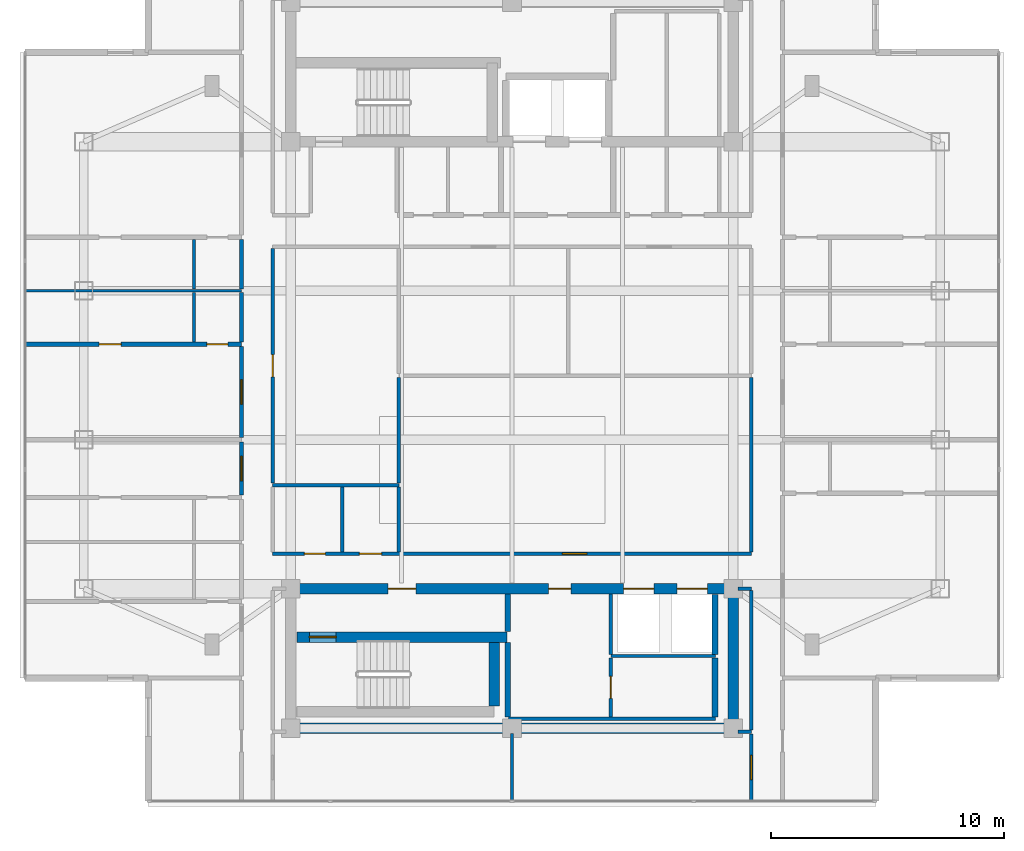
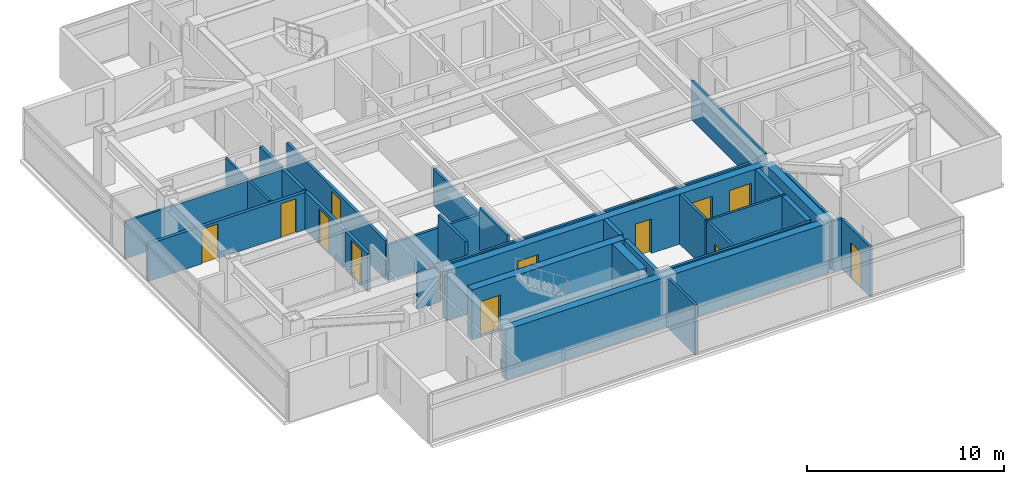
# One storey, part 8 of 15: 33 walls, 15 doors, 15 openings.
"""IFC4 building model written with IfcOpenShell, lengths in metres."""

import ifcopenshell
import ifcopenshell.guid

model = None  # the IFC model being written
_history = None  # IfcOwnerHistory: only IFC2X3 demands one
_inside = {}  # id of a spatial element -> (the spatial element, [elements in it])
_under = {}  # id of a project, library or spatial element -> (it, [spatial elements below it])
_declared = {}  # id of a project -> (the project, [libraries it declares])
_typed = {}  # id of a type object -> (the type object, [elements of that type])
_made_of = {}  # id of a material, layer set ... -> (it, [elements and type objects made of it])


def new_model(schema):
    """Start an empty IFC model of exactly this schema.

    Asked for "IFC4X3", IfcOpenShell would pick the latest addendum, in which some entities
    have other attributes; the version numbers below select the first issue.
    IFC2X3 requires an IfcOwnerHistory on every rooted entity: one is made here for all.
    """
    global model, _history
    if schema == "IFC4X3":
        model = ifcopenshell.file(schema_version=(4, 3, 0, 0))
    else:
        model = ifcopenshell.file(schema=schema)
    _inside.clear()
    _under.clear()
    _declared.clear()
    _typed.clear()
    _made_of.clear()
    _history = None
    if model.schema == "IFC2X3":
        org = make("IfcOrganization", Name="unknown")
        user = make(
            "IfcPersonAndOrganization",
            ThePerson=make("IfcPerson", FamilyName="unknown"),
            TheOrganization=org,
        )
        app = make(
            "IfcApplication",
            ApplicationDeveloper=org,
            Version="unknown",
            ApplicationFullName="unknown",
            ApplicationIdentifier="unknown",
        )
        _history = make(
            "IfcOwnerHistory",
            OwningUser=user,
            OwningApplication=app,
            ChangeAction="ADDED",
            CreationDate=0,
        )
    return model


def make(cls, **values):
    """One entity of the class cls with the attributes given. An attribute that is None is left unset."""
    return model.create_entity(
        cls, **{name: value for name, value in values.items() if value is not None}
    )


def rooted(cls, **values):
    """An entity with a GlobalId (a new one), such as an element, a storey or a relation."""
    return make(cls, GlobalId=ifcopenshell.guid.new(), OwnerHistory=_history, **values)


def si_unit(unit_type, name, prefix=None):
    """IfcSIUnit, for example si_unit("LENGTHUNIT", "METRE", prefix="MILLI")."""
    return make("IfcSIUnit", UnitType=unit_type, Prefix=prefix, Name=name)


def assignment(units):
    """IfcUnitAssignment: the units of a project."""
    return None if units is None else make("IfcUnitAssignment", Units=units)


def point(xyz):
    """IfcCartesianPoint."""
    return None if xyz is None else make("IfcCartesianPoint", Coordinates=xyz)


def direction(xyz):
    """IfcDirection."""
    return None if xyz is None else make("IfcDirection", DirectionRatios=xyz)


def frame(location, z_axis=None, x_axis=None):
    """IfcAxis2Placement3D, a coordinate frame: its origin and axes. An axis left out is left unset."""
    return make(
        "IfcAxis2Placement3D",
        Location=point(location),
        Axis=direction(z_axis),
        RefDirection=direction(x_axis),
    )


def frame_2d(location, x_axis=None):
    """IfcAxis2Placement2D, a coordinate frame in the plane: its origin and x axis."""
    return make(
        "IfcAxis2Placement2D", Location=point(location), RefDirection=direction(x_axis)
    )


def origin():
    """The frame at (0, 0, 0) with its axes left unset."""
    return frame((0.0, 0.0, 0.0))


def place(relative_to, where):
    """IfcLocalPlacement: puts the frame where relative to a parent placement (None: the world)."""
    return make(
        "IfcLocalPlacement", PlacementRelTo=relative_to, RelativePlacement=where
    )


def context(
    kind, dimensions, precision=None, world=None, true_north=None, identifier=None
):
    """IfcGeometricRepresentationContext, for example the 3D "Model" context."""
    return make(
        "IfcGeometricRepresentationContext",
        ContextIdentifier=identifier,
        ContextType=kind,
        CoordinateSpaceDimension=dimensions,
        Precision=precision,
        WorldCoordinateSystem=world,
        TrueNorth=true_north,
    )


def subcontext(parent, identifier, kind, view, scale=None):
    """IfcGeometricRepresentationSubContext, for example "Body" below "Model"."""
    return make(
        "IfcGeometricRepresentationSubContext",
        ContextIdentifier=identifier,
        ContextType=kind,
        ParentContext=parent,
        TargetScale=scale,
        TargetView=view,
    )


def project(units=None, contexts=None):
    """IfcProject with its units and contexts."""
    return rooted(
        "IfcProject",
        Name="project",
        RepresentationContexts=contexts,
        UnitsInContext=assignment(units),
    )


def spatial(cls, under=None, at=None, **own):
    """A site, building, storey or space (cls), placed at a placement, below another one or the project."""
    s = rooted(cls, ObjectPlacement=at, **own)
    if under is not None:
        _under.setdefault(under.id(), (under, []))[1].append(s)
    return s


def profile(cls, at=None, kind="AREA", **sizes):
    """A parametric profile (cls). Its sizes go by their IFC names, for example OverallWidth=200.0."""
    return make(cls, ProfileType=kind, Position=at, **sizes)


def rectangle(**sizes):
    """IfcRectangleProfileDef."""
    return profile("IfcRectangleProfileDef", **sizes)


def extrude(swept, where, along, depth):
    """IfcExtrudedAreaSolid: the profile swept, set in the frame where, extruded along a direction by depth."""
    return make(
        "IfcExtrudedAreaSolid",
        SweptArea=swept,
        Position=where,
        ExtrudedDirection=direction(along),
        Depth=depth,
    )


def shape(context_of_items, identifier, shape_type, items):
    """IfcShapeRepresentation: the items that make up one representation, for example the "Body"."""
    return make(
        "IfcShapeRepresentation",
        ContextOfItems=context_of_items,
        RepresentationIdentifier=identifier,
        RepresentationType=shape_type,
        Items=items,
    )


def material(Name=None, Category=None):
    """IfcMaterial."""
    return make("IfcMaterial", Name=Name, Category=Category)


def layer(
    of_material, thickness, ventilated=None, Name=None, Category=None, Priority=None
):
    """IfcMaterialLayer: one layer of a wall or slab, of a material (None: an air gap)."""
    return make(
        "IfcMaterialLayer",
        Material=of_material,
        LayerThickness=thickness,
        IsVentilated=ventilated,
        Name=Name,
        Category=Category,
        Priority=Priority,
    )


def layer_set(layers, Name=None):
    """IfcMaterialLayerSet."""
    return make("IfcMaterialLayerSet", MaterialLayers=layers, LayerSetName=Name)


def made_of(thing, what):
    """Note that an element or type object is made of a material, layer set ...; save() writes the relation."""
    if what is not None:
        _made_of.setdefault(what.id(), (what, []))[1].append(thing)
    return thing


def type_object(cls, material=None, **own):
    """A type object (cls), such as IfcWallType, which elements share."""
    return made_of(rooted(cls, **own), material)


def element(
    cls,
    number,
    at=None,
    inside=None,
    cuts=None,
    type_object=None,
    material=None,
    context=None,
    identifier="Body",
    shape_type=None,
    held_by="IfcProductDefinitionShape",
    body=None,
    shapes=None,
    **own,
):
    """One element of the class cls, such as IfcWall. Its Tag is "e" and its number.

    at: its placement. inside: the storey or other place that contains it. cuts: it is an
    opening in that element (IfcRelVoidsElement). A single representation is given by context,
    identifier, shape_type and body (its items); several are given by shapes. held_by: the class
    of the entity that holds the representations. save() writes the other relations.
    """
    e = rooted(cls, Tag="e%d" % number, ObjectPlacement=at, **own)
    if body is not None:
        shapes = [shape(context, identifier, shape_type, body)]
    if shapes is not None:
        e.Representation = make(held_by, Representations=shapes)
    if inside is not None:
        _inside.setdefault(inside.id(), (inside, []))[1].append(e)
    if cuts is not None:
        rooted(
            "IfcRelVoidsElement", RelatingBuildingElement=cuts, RelatedOpeningElement=e
        )
    if type_object is not None:
        _typed.setdefault(type_object.id(), (type_object, []))[1].append(e)
    return made_of(e, material)


def fill(opening, filler):
    """IfcRelFillsElement: the door or window that sits in an opening."""
    return rooted(
        "IfcRelFillsElement",
        RelatingOpeningElement=opening,
        RelatedBuildingElement=filler,
    )


def aggregate(whole, parts):
    """IfcRelAggregates: a whole, such as a stair, and the parts it consists of."""
    return rooted("IfcRelAggregates", RelatingObject=whole, RelatedObjects=parts)


def save(model, path):
    """Write the relations noted so far, then the file.

    IfcRelAggregates (storeys below a building ...), IfcRelContainedInSpatialStructure (elements
    in a storey), IfcRelDefinesByType, IfcRelAssociatesMaterial and IfcRelDeclares: one each for
    every whole, place, type object, material and project.
    """
    for whole, parts in _under.values():
        aggregate(whole, parts)
    for where, things in _inside.values():
        rooted(
            "IfcRelContainedInSpatialStructure",
            RelatedElements=things,
            RelatingStructure=where,
        )
    for kind, things in _typed.values():
        rooted("IfcRelDefinesByType", RelatedObjects=things, RelatingType=kind)
    for what, things in _made_of.values():
        rooted("IfcRelAssociatesMaterial", RelatedObjects=things, RelatingMaterial=what)
    for by, libraries in _declared.values():
        rooted("IfcRelDeclares", RelatingContext=by, RelatedDefinitions=libraries)
    model.write(path)


model = new_model("IFC4")

# Units and contexts
model_context = context("Model", 3, precision=1e-05, world=origin(), true_north=direction((0.0, 1.0)))
body_context = subcontext(model_context, "Body", "Model", "MODEL_VIEW")
ifc_project = project(units=[si_unit("LENGTHUNIT", "METRE"), si_unit("AREAUNIT", "SQUARE_METRE"), si_unit("VOLUMEUNIT", "CUBIC_METRE"), si_unit("PLANEANGLEUNIT", "RADIAN"), si_unit("MASSUNIT", "GRAM", prefix="KILO")], contexts=[model_context])

# Site, building, storey
site_placement = place(None, origin())
site = spatial("IfcSite", under=ifc_project, at=site_placement, CompositionType="ELEMENT")
building_placement = place(site_placement, origin())
building = spatial("IfcBuilding", under=site, at=building_placement, Name="Mirazonda Arch Towers", CompositionType="ELEMENT")
storey_placement = place(building_placement, frame((0.0, 0.0, 229.300048828125)))
storey = spatial("IfcBuildingStorey", under=building, at=storey_placement, Name="L65", CompositionType="ELEMENT", Elevation=229.300048828125)

# Walls
ifc_material_1 = material(Name="Concrete C50/60", Category="concrete")
ifc_layer_1 = layer(ifc_material_1, 0.449951171875, Name="WALL-CORE-450")
ifc_layer_set_1 = layer_set([ifc_layer_1], Name="Concrete C50/60")
wall_type_1 = type_object("IfcWallType", Name="WALL-CORE-450", PredefinedType="SHEAR", material=ifc_layer_set_1)
wall_1_placement = place(storey_placement, frame((11.0, 12.39990234375, 0.0), z_axis=(0.0, 0.0, 1.0), x_axis=(1.0, 0.0, 0.0)))
element("IfcWall", 1, at=wall_1_placement, inside=storey, type_object=wall_type_1, Name="L65 T1S-S Core Shear Wall", PredefinedType="SHEAR", context=body_context, shape_type="SweptSolid", body=[
    extrude(rectangle(XDim=19.0, YDim=0.449951171875, at=frame_2d((9.5, 0.0))), origin(), (0.0, 0.0, 1.0), 3.099853515625),
])
wall_2_placement = place(storey_placement, frame((30.0, 12.39990234375, 0.0), z_axis=(0.0, 0.0, 1.0), x_axis=(0.0, 1.0, 0.0)))
element("IfcWall", 2, at=wall_2_placement, inside=storey, type_object=wall_type_1, Name="L65 T1S-E Core Shear Wall", PredefinedType="SHEAR", context=body_context, shape_type="SweptSolid", body=[
    extrude(rectangle(XDim=6.0, YDim=0.449951171875, at=frame_2d((3.0, 0.0))), origin(), (0.0, 0.0, 1.0), 3.099853515625),
])

# Wall, openings, doors
wall_3_placement = place(storey_placement, frame((11.0, 18.39990234375, 0.0), z_axis=(0.0, 0.0, 1.0), x_axis=(1.0, 0.0, 0.0)))
wall_3 = element("IfcWall", 3, at=wall_3_placement, inside=storey, type_object=wall_type_1, Name="L65 T1S-N Core Shear Wall", PredefinedType="SHEAR", context=body_context, shape_type="SweptSolid", body=[
    extrude(rectangle(XDim=19.0, YDim=0.449951171875, at=frame_2d((9.5, 0.0))), origin(), (0.0, 0.0, 1.0), 3.099853515625),
])
opening_1_placement = place(wall_3_placement, frame((4.175048828125, 0.0, 0.0)))
opening_1 = element("IfcOpeningElement", 4, at=opening_1_placement, cuts=wall_3, Name="Opening DR-117", PredefinedType="OPENING", context=body_context, shape_type="SweptSolid", body=[
    extrude(rectangle(XDim=1.199951171875, YDim=2.25, at=frame_2d((0.60009765625, 1.125))), frame((0.0, 0.23486328125, 0.0), z_axis=(0.0, -1.0, 0.0), x_axis=(1.0, 0.0, 0.0)), (0.0, 0.0, 1.0), 0.469970703125),
])
opening_2_placement = place(wall_3_placement, frame((11.074951171875, 0.0, 0.0)))
opening_2 = element("IfcOpeningElement", 5, at=opening_2_placement, cuts=wall_3, Name="Opening DR-104", PredefinedType="OPENING", context=body_context, shape_type="SweptSolid", body=[
    extrude(rectangle(XDim=0.949951171875, YDim=2.14990234375, at=frame_2d((0.47509765625, 1.074951171875))), frame((0.0, 0.23486328125, 0.0), z_axis=(0.0, -1.0, 0.0), x_axis=(1.0, 0.0, 0.0)), (0.0, 0.0, 1.0), 0.469970703125),
])
opening_3_placement = place(wall_3_placement, frame((14.300048828125, 0.0, 0.0)))
opening_3 = element("IfcOpeningElement", 6, at=opening_3_placement, cuts=wall_3, Name="Opening LD-111", PredefinedType="OPENING", context=body_context, shape_type="SweptSolid", body=[
    extrude(rectangle(XDim=1.300048828125, YDim=2.300048828125, at=frame_2d((0.64990234375, 1.14990234375))), frame((0.0, 0.23486328125, 0.0), z_axis=(0.0, -1.0, 0.0), x_axis=(1.0, 0.0, 0.0)), (0.0, 0.0, 1.0), 0.469970703125),
])
opening_4_placement = place(wall_3_placement, frame((16.60009765625, 0.0, 0.0)))
opening_4 = element("IfcOpeningElement", 7, at=opening_4_placement, cuts=wall_3, Name="Opening LD-111", PredefinedType="OPENING", context=body_context, shape_type="SweptSolid", body=[
    extrude(rectangle(XDim=1.300048828125, YDim=2.300048828125, at=frame_2d((0.64990234375, 1.14990234375))), frame((0.0, 0.23486328125, 0.0), z_axis=(0.0, -1.0, 0.0), x_axis=(1.0, 0.0, 0.0)), (0.0, 0.0, 1.0), 0.469970703125),
])
ifc_material_2 = material(Name="Architectural Brushed Steel S355", Category="steel")
door_type_1 = type_object("IfcDoorType", Name="DOOR-FFL-FD90-1200", OperationType="NOTDEFINED", PredefinedType="DOOR", material=ifc_material_2)
door_1_placement = place(opening_1_placement, origin())
door_1 = element("IfcDoor", 8, at=door_1_placement, inside=storey, type_object=door_type_1, Name="L65 South Core Stair & Lift Lobby Door", OperationType="SINGLE_SWING_LEFT", OverallHeight=2.25, OverallWidth=1.199951171875, PredefinedType="DOOR", context=body_context, shape_type="SweptSolid", body=[
    extrude(rectangle(XDim=1.199951171875, YDim=2.25, at=frame_2d((0.60009765625, 1.125))), frame((0.0, 0.02490234375, 0.0), z_axis=(0.0, -1.0, 0.0), x_axis=(1.0, 0.0, 0.0)), (0.0, 0.0, 1.0), 0.050048828125),
])
fill(opening_1, door_1)
door_type_2 = type_object("IfcDoorType", Name="DOOR-LIFT-LAND-1300", OperationType="NOTDEFINED", PredefinedType="DOOR", material=ifc_material_2)
door_2_placement = place(opening_3_placement, origin())
door_2 = element("IfcDoor", 9, at=door_2_placement, inside=storey, type_object=door_type_2, Name="L65 Lift Landing Sliding Door PL-T1H1", OperationType="DOUBLE_DOOR_SLIDING", OverallHeight=2.300048828125, OverallWidth=1.300048828125, PredefinedType="DOOR", context=body_context, shape_type="SweptSolid", body=[
    extrude(rectangle(XDim=1.300048828125, YDim=2.300048828125, at=frame_2d((0.64990234375, 1.14990234375))), frame((0.0, 0.02490234375, 0.0), z_axis=(0.0, -1.0, 0.0), x_axis=(1.0, 0.0, 0.0)), (0.0, 0.0, 1.0), 0.050048828125),
])
fill(opening_3, door_2)
door_3_placement = place(opening_4_placement, origin())
door_3 = element("IfcDoor", 10, at=door_3_placement, inside=storey, type_object=door_type_2, Name="L65 Lift Landing Sliding Door PL-T1H2", OperationType="DOUBLE_DOOR_SLIDING", OverallHeight=2.300048828125, OverallWidth=1.300048828125, PredefinedType="DOOR", context=body_context, shape_type="SweptSolid", body=[
    extrude(rectangle(XDim=1.300048828125, YDim=2.300048828125, at=frame_2d((0.64990234375, 1.14990234375))), frame((0.0, 0.02490234375, 0.0), z_axis=(0.0, -1.0, 0.0), x_axis=(1.0, 0.0, 0.0)), (0.0, 0.0, 1.0), 0.050048828125),
])
fill(opening_4, door_3)
door_type_3 = type_object("IfcDoorType", Name="DOOR-ROOM-950", OperationType="NOTDEFINED", PredefinedType="DOOR", material=ifc_material_2)
door_4_placement = place(opening_2_placement, origin())
door_4 = element("IfcDoor", 11, at=door_4_placement, inside=storey, type_object=door_type_3, Name="L65 Residents Wine Tasting Lounge Door", OperationType="SINGLE_SWING_LEFT", OverallHeight=2.14990234375, OverallWidth=0.949951171875, PredefinedType="DOOR", context=body_context, shape_type="SweptSolid", body=[
    extrude(rectangle(XDim=0.949951171875, YDim=2.14990234375, at=frame_2d((0.47509765625, 1.074951171875))), frame((0.0, 0.02490234375, 0.0), z_axis=(0.0, -1.0, 0.0), x_axis=(1.0, 0.0, 0.0)), (0.0, 0.0, 1.0), 0.050048828125),
])
fill(opening_2, door_4)

# Wall, opening, door
wall_4_placement = place(storey_placement, frame((11.27001953125, 16.320068359375, 0.0), z_axis=(0.0, 0.0, 1.0), x_axis=(1.0, 0.0, 0.0)))
wall_4 = element("IfcWall", 12, at=wall_4_placement, inside=storey, type_object=wall_type_1, Name="L65 Stair Core Shear Wall 008", PredefinedType="SHEAR", context=body_context, shape_type="SweptSolid", body=[
    extrude(rectangle(XDim=9.010009765625, YDim=0.449951171875, at=frame_2d((4.5048828125, 0.0))), origin(), (0.0, 0.0, 1.0), 3.099853515625),
])
opening_5_placement = place(wall_4_placement, frame((0.52001953125, 0.0, 0.0)))
opening_5 = element("IfcOpeningElement", 13, at=opening_5_placement, cuts=wall_4, Name="Opening DR-135", PredefinedType="OPENING", context=body_context, shape_type="SweptSolid", body=[
    extrude(rectangle(XDim=1.14990234375, YDim=2.199951171875, at=frame_2d((0.574951171875, 1.10009765625))), frame((0.0, 0.23486328125, 0.0), z_axis=(0.0, -1.0, 0.0), x_axis=(1.0, 0.0, 0.0)), (0.0, 0.0, 1.0), 0.469970703125),
])
door_type_4 = type_object("IfcDoorType", Name="DOOR-STAIR-FD90-1150", OperationType="NOTDEFINED", PredefinedType="DOOR", material=ifc_material_2)
door_5_placement = place(opening_5_placement, origin())
door_5 = element("IfcDoor", 14, at=door_5_placement, inside=storey, type_object=door_type_4, Name="L65 Protected Exit Stair South Door", OperationType="SINGLE_SWING_RIGHT", OverallHeight=2.199951171875, OverallWidth=1.14990234375, PredefinedType="DOOR", context=body_context, shape_type="SweptSolid", body=[
    extrude(rectangle(XDim=1.14990234375, YDim=2.199951171875, at=frame_2d((0.574951171875, 1.10009765625))), frame((0.0, 0.02490234375, 0.0), z_axis=(0.0, -1.0, 0.0), x_axis=(1.0, 0.0, 0.0)), (0.0, 0.0, 1.0), 0.050048828125),
])
fill(opening_5, door_5)

# Walls
wall_5_placement = place(storey_placement, frame((19.72998046875, 13.35498046875, 0.0), z_axis=(0.0, 0.0, 1.0), x_axis=(0.0, 1.0, 0.0)))
element("IfcWall", 15, at=wall_5_placement, inside=storey, type_object=wall_type_1, Name="L65 Stair Core Shear Wall 062", PredefinedType="SHEAR", context=body_context, shape_type="SweptSolid", body=[
    extrude(rectangle(XDim=2.72998046875, YDim=0.449951171875, at=frame_2d((1.364990234375, 0.0))), origin(), (0.0, 0.0, 1.0), 3.099853515625),
])
ifc_material_3 = material(Name="Concrete C40/50", Category="concrete")
ifc_layer_2 = layer(ifc_material_3, 0.219970703125, Name="WALL-FFL-220")
ifc_layer_set_2 = layer_set([ifc_layer_2], Name="Concrete C40/50")
wall_type_2 = type_object("IfcWallType", Name="WALL-FFL-220", PredefinedType="SOLIDWALL", material=ifc_layer_set_2)
wall_6_placement = place(storey_placement, frame((20.31494140625, 12.885009765625, 0.0), z_axis=(0.0, 0.0, 1.0), x_axis=(0.0, 1.0, 0.0)))
element("IfcWall", 16, at=wall_6_placement, inside=storey, type_object=wall_type_2, Name="L65 Interior Partition 064", PredefinedType="SOLIDWALL", context=body_context, shape_type="SweptSolid", body=[
    extrude(rectangle(XDim=3.199951171875, YDim=0.219970703125, at=frame_2d((1.60009765625, 0.0))), origin(), (0.0, 0.0, 1.0), 3.099853515625),
])
wall_7_placement = place(storey_placement, frame((20.31494140625, 16.554931640625, 0.0), z_axis=(0.0, 0.0, 1.0), x_axis=(0.0, 1.0, 0.0)))
element("IfcWall", 17, at=wall_7_placement, inside=storey, type_object=wall_type_2, Name="L65 Interior Partition 065", PredefinedType="SOLIDWALL", context=body_context, shape_type="SweptSolid", body=[
    extrude(rectangle(XDim=1.625, YDim=0.219970703125, at=frame_2d((0.8125, 0.0))), origin(), (0.0, 0.0, 1.0), 3.099853515625),
])
ifc_material_4 = material(Name="Fire-Rated Gypsum Stud Partition")
ifc_layer_3 = layer(ifc_material_4, 0.14990234375, Name="WALL-PART-CORR-150")
ifc_layer_set_3 = layer_set([ifc_layer_3], Name="Fire-Rated Gypsum Stud Partition")
wall_type_3 = type_object("IfcWallType", Name="WALL-PART-CORR-150", PredefinedType="PARTITIONING", material=ifc_layer_set_3)
wall_8_placement = place(storey_placement, frame((30.219970703125, 12.25, 0.0), z_axis=(0.0, 0.0, 1.0), x_axis=(1.0, 0.0, 0.0)))
element("IfcWall", 18, at=wall_8_placement, inside=storey, type_object=wall_type_3, Name="L65 Interior Partition 002", PredefinedType="PARTITIONING", context=body_context, shape_type="SweptSolid", body=[
    extrude(rectangle(XDim=0.56005859375, YDim=0.14990234375, at=frame_2d((0.280029296875, 0.0))), origin(), (0.0, 0.0, 1.0), 3.099853515625),
])
wall_9_placement = place(storey_placement, frame((20.35009765625, 12.800048828125, 0.0), z_axis=(0.0, 0.0, 1.0), x_axis=(1.0, 0.0, 0.0)))
element("IfcWall", 19, at=wall_9_placement, inside=storey, type_object=wall_type_3, Name="L65 Interior Partition 003", PredefinedType="PARTITIONING", context=body_context, shape_type="SweptSolid", body=[
    extrude(rectangle(XDim=8.89990234375, YDim=0.14990234375, at=frame_2d((4.449951171875, 0.0))), origin(), (0.0, 0.0, 1.0), 3.099853515625),
])
wall_10_placement = place(storey_placement, frame((30.219970703125, 18.39990234375, 0.0), z_axis=(0.0, 0.0, 1.0), x_axis=(1.0, 0.0, 0.0)))
element("IfcWall", 20, at=wall_10_placement, inside=storey, type_object=wall_type_3, Name="L65 Interior Partition 011", PredefinedType="PARTITIONING", context=body_context, shape_type="SweptSolid", body=[
    extrude(rectangle(XDim=0.56005859375, YDim=0.14990234375, at=frame_2d((0.280029296875, 0.0))), origin(), (0.0, 0.0, 1.0), 2.491943359375),
])

# Wall, openings, doors
wall_11_placement = place(storey_placement, frame((10.219970703125, 19.89990234375, 0.0), z_axis=(0.0, 0.0, 1.0), x_axis=(1.0, 0.0, 0.0)))
wall_11 = element("IfcWall", 21, at=wall_11_placement, inside=storey, type_object=wall_type_3, Name="L65 Interior Partition 012", PredefinedType="PARTITIONING", context=body_context, shape_type="SweptSolid", body=[
    extrude(rectangle(XDim=20.56005859375, YDim=0.14990234375, at=frame_2d((10.280029296875, 0.0))), origin(), (0.0, 0.0, 1.0), 2.23583984375),
])
opening_6_placement = place(wall_11_placement, frame((1.360107421875, 0.0, 0.0)))
opening_6 = element("IfcOpeningElement", 22, at=opening_6_placement, cuts=wall_11, Name="Opening DR-120", PredefinedType="OPENING", context=body_context, shape_type="SweptSolid", body=[
    extrude(rectangle(XDim=0.89990234375, YDim=2.10009765625, at=frame_2d((0.449951171875, 1.050048828125))), frame((0.0, 0.0849609375, 0.0), z_axis=(0.0, -1.0, 0.0), x_axis=(1.0, 0.0, 0.0)), (0.0, 0.0, 1.0), 0.169921875),
])
opening_7_placement = place(wall_11_placement, frame((3.72509765625, 0.0, 0.0)))
opening_7 = element("IfcOpeningElement", 23, at=opening_7_placement, cuts=wall_11, Name="Opening DR-104", PredefinedType="OPENING", context=body_context, shape_type="SweptSolid", body=[
    extrude(rectangle(XDim=0.949951171875, YDim=2.14990234375, at=frame_2d((0.47509765625, 1.074951171875))), frame((0.0, 0.0849609375, 0.0), z_axis=(0.0, -1.0, 0.0), x_axis=(1.0, 0.0, 0.0)), (0.0, 0.0, 1.0), 0.169921875),
])
opening_8_placement = place(wall_11_placement, frame((12.445068359375, 0.0, 0.0)))
opening_8 = element("IfcOpeningElement", 24, at=opening_8_placement, cuts=wall_11, Name="Opening DR-121", PredefinedType="OPENING", context=body_context, shape_type="SweptSolid", body=[
    extrude(rectangle(XDim=1.050048828125, YDim=2.199951171875, at=frame_2d((0.52490234375, 1.10009765625))), frame((0.0, 0.0849609375, 0.0), z_axis=(0.0, -1.0, 0.0), x_axis=(1.0, 0.0, 0.0)), (0.0, 0.0, 1.0), 0.169921875),
])
door_6_placement = place(opening_7_placement, origin())
door_6 = element("IfcDoor", 25, at=door_6_placement, inside=storey, type_object=door_type_3, Name="L65 L65 West Courtyard Study Door", OperationType="SINGLE_SWING_LEFT", OverallHeight=2.14990234375, OverallWidth=0.949951171875, PredefinedType="DOOR", context=body_context, shape_type="SweptSolid", body=[
    extrude(rectangle(XDim=0.949951171875, YDim=2.14990234375, at=frame_2d((0.47509765625, 1.074951171875))), frame((0.0, 0.02490234375, 0.0), z_axis=(0.0, -1.0, 0.0), x_axis=(1.0, 0.0, 0.0)), (0.0, 0.0, 1.0), 0.050048828125),
])
fill(opening_7, door_6)
door_type_5 = type_object("IfcDoorType", Name="DOOR-SUITE-FD60-1050", OperationType="NOTDEFINED", PredefinedType="DOOR", material=ifc_material_2)
door_7_placement = place(opening_8_placement, origin())
door_7 = element("IfcDoor", 26, at=door_7_placement, inside=storey, type_object=door_type_5, Name="L65 Executive Club Lounge Door", OperationType="SINGLE_SWING_LEFT", OverallHeight=2.199951171875, OverallWidth=1.050048828125, PredefinedType="DOOR", context=body_context, shape_type="SweptSolid", body=[
    extrude(rectangle(XDim=1.050048828125, YDim=2.199951171875, at=frame_2d((0.52490234375, 1.10009765625))), frame((0.0, 0.02490234375, 0.0), z_axis=(0.0, -1.0, 0.0), x_axis=(1.0, 0.0, 0.0)), (0.0, 0.0, 1.0), 0.050048828125),
])
fill(opening_8, door_7)
door_type_6 = type_object("IfcDoorType", Name="DOOR-WC-900", OperationType="NOTDEFINED", PredefinedType="DOOR", material=ifc_material_2)
door_8_placement = place(opening_6_placement, origin())
door_8 = element("IfcDoor", 27, at=door_8_placement, inside=storey, type_object=door_type_6, Name="L65 Common Accessible WC Door", OperationType="SINGLE_SWING_LEFT", OverallHeight=2.10009765625, OverallWidth=0.89990234375, PredefinedType="DOOR", context=body_context, shape_type="SweptSolid", body=[
    extrude(rectangle(XDim=0.89990234375, YDim=2.10009765625, at=frame_2d((0.449951171875, 1.050048828125))), frame((0.0, 0.02490234375, 0.0), z_axis=(0.0, -1.0, 0.0), x_axis=(1.0, 0.0, 0.0)), (0.0, 0.0, 1.0), 0.050048828125),
])
fill(opening_6, door_8)

# Wall
wall_12_placement = place(storey_placement, frame((10.219970703125, 22.85009765625, 0.0), z_axis=(0.0, 0.0, 1.0), x_axis=(1.0, 0.0, 0.0)))
element("IfcWall", 28, at=wall_12_placement, inside=storey, type_object=wall_type_3, Name="L65 Interior Partition 016", PredefinedType="PARTITIONING", context=body_context, shape_type="SweptSolid", body=[
    extrude(rectangle(XDim=5.419921875, YDim=0.14990234375, at=frame_2d((2.7099609375, 0.0))), origin(), (0.0, 0.0, 1.0), 2.23583984375),
])

# Wall, opening, door
wall_13_placement = place(storey_placement, frame((10.219970703125, 22.93505859375, 0.0), z_axis=(0.0, 0.0, 1.0), x_axis=(0.0, 1.0, 0.0)))
wall_13 = element("IfcWall", 29, at=wall_13_placement, inside=storey, type_object=wall_type_3, Name="L65 Interior Partition 052", PredefinedType="PARTITIONING", context=body_context, shape_type="SweptSolid", body=[
    extrude(rectangle(XDim=10.079833984375, YDim=0.14990234375, at=frame_2d((5.0400390625, 0.0))), origin(), (0.0, 0.0, 1.0), 2.39599609375),
])
opening_9_placement = place(wall_13_placement, frame((4.56494140625, 0.0, 0.0)))
opening_9 = element("IfcOpeningElement", 30, at=opening_9_placement, cuts=wall_13, Name="Opening DR-104", PredefinedType="OPENING", context=body_context, shape_type="SweptSolid", body=[
    extrude(rectangle(XDim=0.949951171875, YDim=2.14990234375, at=frame_2d((0.47509765625, 1.074951171875))), frame((0.0, 0.0849609375, 0.0), z_axis=(0.0, -1.0, 0.0), x_axis=(1.0, 0.0, 0.0)), (0.0, 0.0, 1.0), 0.169921875),
])
door_9_placement = place(opening_9_placement, origin())
door_9 = element("IfcDoor", 31, at=door_9_placement, inside=storey, type_object=door_type_3, Name="L65 L65 West Courtyard Salon Door", OperationType="SINGLE_SWING_RIGHT", OverallHeight=2.14990234375, OverallWidth=0.949951171875, PredefinedType="DOOR", context=body_context, shape_type="SweptSolid", body=[
    extrude(rectangle(XDim=0.949951171875, YDim=2.14990234375, at=frame_2d((0.47509765625, 1.074951171875))), frame((0.0, 0.02490234375, 0.0), z_axis=(0.0, -1.0, 0.0), x_axis=(1.0, 0.0, 0.0)), (0.0, 0.0, 1.0), 0.050048828125),
])
fill(opening_9, door_9)

# Walls
wall_14_placement = place(storey_placement, frame((13.199951171875, 19.985107421875, 0.0), z_axis=(0.0, 0.0, 1.0), x_axis=(0.0, 1.0, 0.0)))
element("IfcWall", 32, at=wall_14_placement, inside=storey, type_object=wall_type_3, Name="L65 Interior Partition 056", PredefinedType="PARTITIONING", context=body_context, shape_type="SweptSolid", body=[
    extrude(rectangle(XDim=2.77978515625, YDim=0.14990234375, at=frame_2d((1.389892578125, 0.0))), origin(), (0.0, 0.0, 1.0), 3.099853515625),
])
wall_15_placement = place(storey_placement, frame((15.639892578125, 19.985107421875, 0.0), z_axis=(0.0, 0.0, 1.0), x_axis=(0.0, 1.0, 0.0)))
element("IfcWall", 33, at=wall_15_placement, inside=storey, type_object=wall_type_3, Name="L65 Interior Partition 057", PredefinedType="PARTITIONING", context=body_context, shape_type="SweptSolid", body=[
    extrude(rectangle(XDim=2.77978515625, YDim=0.14990234375, at=frame_2d((1.389892578125, 0.0))), origin(), (0.0, 0.0, 1.0), 2.675048828125),
])
wall_16_placement = place(storey_placement, frame((15.639892578125, 22.93505859375, 0.0), z_axis=(0.0, 0.0, 1.0), x_axis=(0.0, 1.0, 0.0)))
element("IfcWall", 34, at=wall_16_placement, inside=storey, type_object=wall_type_3, Name="L65 Interior Partition 058", PredefinedType="PARTITIONING", context=body_context, shape_type="SweptSolid", body=[
    extrude(rectangle(XDim=4.535888671875, YDim=0.14990234375, at=frame_2d((2.26806640625, 0.0))), origin(), (0.0, 0.0, 1.0), 2.23583984375),
])
wall_17_placement = place(storey_placement, frame((20.5, 9.26611328125, 0.0), z_axis=(0.0, 0.0, 1.0), x_axis=(0.0, 1.0, 0.0)))
element("IfcWall", 35, at=wall_17_placement, inside=storey, type_object=wall_type_3, Name="L65 Interior Partition 067", PredefinedType="PARTITIONING", context=body_context, shape_type="SweptSolid", body=[
    extrude(rectangle(XDim=2.913818359375, YDim=0.14990234375, at=frame_2d((1.45703125, 0.0))), origin(), (0.0, 0.0, 1.0), 3.099853515625),
])

# Wall, opening, door
wall_18_placement = place(storey_placement, frame((24.75, 12.885009765625, 0.0), z_axis=(0.0, 0.0, 1.0), x_axis=(0.0, 1.0, 0.0)))
wall_18 = element("IfcWall", 36, at=wall_18_placement, inside=storey, type_object=wall_type_3, Name="L65 Interior Partition 070", PredefinedType="PARTITIONING", context=body_context, shape_type="SweptSolid", body=[
    extrude(rectangle(XDim=2.54248046875, YDim=0.14990234375, at=frame_2d((1.271240234375, 0.0))), origin(), (0.0, 0.0, 1.0), 3.099853515625),
])
opening_10_placement = place(wall_18_placement, frame((0.79638671875, 0.0, 0.0)))
opening_10 = element("IfcOpeningElement", 37, at=opening_10_placement, cuts=wall_18, Name="Opening DR-104", PredefinedType="OPENING", context=body_context, shape_type="SweptSolid", body=[
    extrude(rectangle(XDim=0.949951171875, YDim=2.14990234375, at=frame_2d((0.47509765625, 1.074951171875))), frame((0.0, 0.0849609375, 0.0), z_axis=(0.0, -1.0, 0.0), x_axis=(1.0, 0.0, 0.0)), (0.0, 0.0, 1.0), 0.169921875),
])
door_10_placement = place(opening_10_placement, origin())
door_10 = element("IfcDoor", 38, at=door_10_placement, inside=storey, type_object=door_type_3, Name="L65 Residents Private Archive Study Door", OperationType="SINGLE_SWING_RIGHT", OverallHeight=2.14990234375, OverallWidth=0.949951171875, PredefinedType="DOOR", context=body_context, shape_type="SweptSolid", body=[
    extrude(rectangle(XDim=0.949951171875, YDim=2.14990234375, at=frame_2d((0.47509765625, 1.074951171875))), frame((0.0, 0.02490234375, 0.0), z_axis=(0.0, -1.0, 0.0), x_axis=(1.0, 0.0, 0.0)), (0.0, 0.0, 1.0), 0.050048828125),
])
fill(opening_10, door_10)

# Wall
wall_19_placement = place(storey_placement, frame((24.75, 15.572509765625, 0.0), z_axis=(0.0, 0.0, 1.0), x_axis=(0.0, 1.0, 0.0)))
element("IfcWall", 39, at=wall_19_placement, inside=storey, type_object=wall_type_3, Name="L65 Interior Partition 071", PredefinedType="PARTITIONING", context=body_context, shape_type="SweptSolid", body=[
    extrude(rectangle(XDim=2.607421875, YDim=0.14990234375, at=frame_2d((1.3037109375, 0.0))), origin(), (0.0, 0.0, 1.0), 3.099853515625),
])

# Wall, opening, door
wall_20_placement = place(storey_placement, frame((30.780029296875, 9.26611328125, 0.0), z_axis=(0.0, 0.0, 1.0), x_axis=(0.0, 1.0, 0.0)))
wall_20 = element("IfcWall", 40, at=wall_20_placement, inside=storey, type_object=wall_type_3, Name="L65 Interior Partition 081", PredefinedType="PARTITIONING", context=body_context, shape_type="SweptSolid", body=[
    extrude(rectangle(XDim=2.89892578125, YDim=0.14990234375, at=frame_2d((1.449462890625, 0.0))), origin(), (0.0, 0.0, 1.0), 3.099853515625),
])
opening_11_placement = place(wall_20_placement, frame((0.924560546875, 0.0, 0.0)))
opening_11 = element("IfcOpeningElement", 41, at=opening_11_placement, cuts=wall_20, Name="Opening DR-121", PredefinedType="OPENING", context=body_context, shape_type="SweptSolid", body=[
    extrude(rectangle(XDim=1.050048828125, YDim=2.199951171875, at=frame_2d((0.52490234375, 1.10009765625))), frame((0.0, 0.0849609375, 0.0), z_axis=(0.0, -1.0, 0.0), x_axis=(1.0, 0.0, 0.0)), (0.0, 0.0, 1.0), 0.169921875),
])
door_11_placement = place(opening_11_placement, origin())
door_11 = element("IfcDoor", 42, at=door_11_placement, inside=storey, type_object=door_type_5, Name="L65 South Horizon Lounge East Door", OperationType="SINGLE_SWING_LEFT", OverallHeight=2.199951171875, OverallWidth=1.050048828125, PredefinedType="DOOR", context=body_context, shape_type="SweptSolid", body=[
    extrude(rectangle(XDim=1.050048828125, YDim=2.199951171875, at=frame_2d((0.52490234375, 1.10009765625))), frame((0.0, 0.02490234375, 0.0), z_axis=(0.0, -1.0, 0.0), x_axis=(1.0, 0.0, 0.0)), (0.0, 0.0, 1.0), 0.050048828125),
])
fill(opening_11, door_11)

# Walls
wall_21_placement = place(storey_placement, frame((30.780029296875, 12.3349609375, 0.0), z_axis=(0.0, 0.0, 1.0), x_axis=(0.0, 1.0, 0.0)))
element("IfcWall", 43, at=wall_21_placement, inside=storey, type_object=wall_type_3, Name="L65 Interior Partition 082", PredefinedType="PARTITIONING", context=body_context, shape_type="SweptSolid", body=[
    extrude(rectangle(XDim=5.97998046875, YDim=0.14990234375, at=frame_2d((2.989990234375, 0.0))), origin(), (0.0, 0.0, 1.0), 2.491943359375),
])
wall_22_placement = place(storey_placement, frame((30.780029296875, 19.985107421875, 0.0), z_axis=(0.0, 0.0, 1.0), x_axis=(0.0, 1.0, 0.0)))
element("IfcWall", 44, at=wall_22_placement, inside=storey, type_object=wall_type_3, Name="L65 Interior Partition 083", PredefinedType="PARTITIONING", context=body_context, shape_type="SweptSolid", body=[
    extrude(rectangle(XDim=7.48583984375, YDim=0.14990234375, at=frame_2d((3.742919921875, 0.0))), origin(), (0.0, 0.0, 1.0), 2.39599609375),
])

# Wall, openings, doors
ifc_material_5 = material(Name="Fire-Rated Gypsum Twin-Stud Assembly")
ifc_layer_4 = layer(ifc_material_5, 0.179931640625, Name="WALL-PART-DEMISE-180")
ifc_layer_set_4 = layer_set([ifc_layer_4], Name="Fire-Rated Gypsum Twin-Stud Assembly")
wall_type_4 = type_object("IfcWallType", Name="WALL-PART-DEMISE-180", PredefinedType="PARTITIONING", material=ifc_layer_set_4)
wall_23_placement = place(storey_placement, frame((-0.419921875, 28.89990234375, 0.0), z_axis=(0.0, 0.0, 1.0), x_axis=(1.0, 0.0, 0.0)))
wall_23 = element("IfcWall", 45, at=wall_23_placement, inside=storey, type_object=wall_type_4, Name="L65 Interior Partition 020", PredefinedType="PARTITIONING", context=body_context, shape_type="SweptSolid", body=[
    extrude(rectangle(XDim=9.2998046875, YDim=0.179931640625, at=frame_2d((4.64990234375, 0.0))), origin(), (0.0, 0.0, 1.0), 2.31884765625),
])
opening_12_placement = place(wall_23_placement, frame((3.175048828125, 0.0, 0.0)))
opening_12 = element("IfcOpeningElement", 46, at=opening_12_placement, cuts=wall_23, Name="Opening DR-104", PredefinedType="OPENING", context=body_context, shape_type="SweptSolid", body=[
    extrude(rectangle(XDim=0.949951171875, YDim=2.14990234375, at=frame_2d((0.47509765625, 1.074951171875))), frame((0.0, 0.099853515625, 0.0), z_axis=(0.0, -1.0, 0.0), x_axis=(1.0, 0.0, 0.0)), (0.0, 0.0, 1.0), 0.199951171875),
])
opening_13_placement = place(wall_23_placement, frame((7.81005859375, 0.0, 0.0)))
opening_13 = element("IfcOpeningElement", 47, at=opening_13_placement, cuts=wall_23, Name="Opening DR-120", PredefinedType="OPENING", context=body_context, shape_type="SweptSolid", body=[
    extrude(rectangle(XDim=0.89990234375, YDim=2.10009765625, at=frame_2d((0.449951171875, 1.050048828125))), frame((0.0, 0.099853515625, 0.0), z_axis=(0.0, -1.0, 0.0), x_axis=(1.0, 0.0, 0.0)), (0.0, 0.0, 1.0), 0.199951171875),
])
door_12_placement = place(opening_12_placement, origin())
door_12 = element("IfcDoor", 48, at=door_12_placement, inside=storey, type_object=door_type_3, Name="L65 Guestroom Study 3 Door", OperationType="SINGLE_SWING_LEFT", OverallHeight=2.14990234375, OverallWidth=0.949951171875, PredefinedType="DOOR", context=body_context, shape_type="SweptSolid", body=[
    extrude(rectangle(XDim=0.949951171875, YDim=2.14990234375, at=frame_2d((0.47509765625, 1.074951171875))), frame((0.0, 0.02490234375, 0.0), z_axis=(0.0, -1.0, 0.0), x_axis=(1.0, 0.0, 0.0)), (0.0, 0.0, 1.0), 0.050048828125),
])
fill(opening_12, door_12)
door_13_placement = place(opening_13_placement, origin())
door_13 = element("IfcDoor", 49, at=door_13_placement, inside=storey, type_object=door_type_6, Name="L65 En-Suite Bathroom 3 Door", OperationType="SINGLE_SWING_RIGHT", OverallHeight=2.10009765625, OverallWidth=0.89990234375, PredefinedType="DOOR", context=body_context, shape_type="SweptSolid", body=[
    extrude(rectangle(XDim=0.89990234375, YDim=2.10009765625, at=frame_2d((0.449951171875, 1.050048828125))), frame((0.0, 0.02490234375, 0.0), z_axis=(0.0, -1.0, 0.0), x_axis=(1.0, 0.0, 0.0)), (0.0, 0.0, 1.0), 0.050048828125),
])
fill(opening_13, door_13)

# Wall, opening, door
wall_24_placement = place(storey_placement, frame((8.8798828125, 22.419921875, 0.0), z_axis=(0.0, 0.0, 1.0), x_axis=(0.0, 1.0, 0.0)))
wall_24 = element("IfcWall", 50, at=wall_24_placement, inside=storey, type_object=wall_type_4, Name="L65 Interior Partition 043", PredefinedType="PARTITIONING", context=body_context, shape_type="SweptSolid", body=[
    extrude(rectangle(XDim=2.280029296875, YDim=0.179931640625, at=frame_2d((1.14013671875, 0.0))), origin(), (0.0, 0.0, 1.0), 2.39599609375),
])
opening_14_placement = place(wall_24_placement, frame((0.614990234375, 0.0, 0.0)))
opening_14 = element("IfcOpeningElement", 51, at=opening_14_placement, cuts=wall_24, Name="Opening DR-121", PredefinedType="OPENING", context=body_context, shape_type="SweptSolid", body=[
    extrude(rectangle(XDim=1.050048828125, YDim=2.199951171875, at=frame_2d((0.52490234375, 1.10009765625))), frame((0.0, 0.099853515625, 0.0), z_axis=(0.0, -1.0, 0.0), x_axis=(1.0, 0.0, 0.0)), (0.0, 0.0, 1.0), 0.199951171875),
])
door_14_placement = place(opening_14_placement, origin())
door_14 = element("IfcDoor", 52, at=door_14_placement, inside=storey, type_object=door_type_5, Name="L65 Twin Hotel Guestroom 2 Door", OperationType="SINGLE_SWING_LEFT", OverallHeight=2.199951171875, OverallWidth=1.050048828125, PredefinedType="DOOR", context=body_context, shape_type="SweptSolid", body=[
    extrude(rectangle(XDim=1.050048828125, YDim=2.199951171875, at=frame_2d((0.52490234375, 1.10009765625))), frame((0.0, 0.02490234375, 0.0), z_axis=(0.0, -1.0, 0.0), x_axis=(1.0, 0.0, 0.0)), (0.0, 0.0, 1.0), 0.050048828125),
])
fill(opening_14, door_14)

wall_25_placement = place(storey_placement, frame((8.8798828125, 24.89990234375, 0.0), z_axis=(0.0, 0.0, 1.0), x_axis=(0.0, 1.0, 0.0)))
wall_25 = element("IfcWall", 53, at=wall_25_placement, inside=storey, type_object=wall_type_4, Name="L65 Interior Partition 044", PredefinedType="PARTITIONING", context=body_context, shape_type="SweptSolid", body=[
    extrude(rectangle(XDim=3.900146484375, YDim=0.179931640625, at=frame_2d((1.9501953125, 0.0))), origin(), (0.0, 0.0, 1.0), 2.39599609375),
])
opening_15_placement = place(wall_25_placement, frame((1.425048828125, 0.0, 0.0)))
opening_15 = element("IfcOpeningElement", 54, at=opening_15_placement, cuts=wall_25, Name="Opening DR-121", PredefinedType="OPENING", context=body_context, shape_type="SweptSolid", body=[
    extrude(rectangle(XDim=1.050048828125, YDim=2.199951171875, at=frame_2d((0.52490234375, 1.10009765625))), frame((0.0, 0.099853515625, 0.0), z_axis=(0.0, -1.0, 0.0), x_axis=(1.0, 0.0, 0.0)), (0.0, 0.0, 1.0), 0.199951171875),
])
door_15_placement = place(opening_15_placement, origin())
door_15 = element("IfcDoor", 55, at=door_15_placement, inside=storey, type_object=door_type_5, Name="L65 King Hotel Guestroom 3 Door", OperationType="SINGLE_SWING_RIGHT", OverallHeight=2.199951171875, OverallWidth=1.050048828125, PredefinedType="DOOR", context=body_context, shape_type="SweptSolid", body=[
    extrude(rectangle(XDim=1.050048828125, YDim=2.199951171875, at=frame_2d((0.52490234375, 1.10009765625))), frame((0.0, 0.02490234375, 0.0), z_axis=(0.0, -1.0, 0.0), x_axis=(1.0, 0.0, 0.0)), (0.0, 0.0, 1.0), 0.050048828125),
])
fill(opening_15, door_15)

# Walls
for number, where, z_axis, x_axis, name in (
    (56, (8.8798828125, 29.0, 0.0), (0.0, 0.0, 1.0), (0.0, 1.0, 0.0), "L65 Interior Partition 045"),
    (57, (8.8798828125, 31.2724609375, 0.0), (0.0, 0.0, 1.0), (0.0, 1.0, 0.0), "L65 Interior Partition 046"),
):
    element("IfcWall", number, at=place(storey_placement, frame(where, z_axis=z_axis, x_axis=x_axis)), inside=storey, type_object=wall_type_4, Name=name, PredefinedType="PARTITIONING", context=body_context, shape_type="SweptSolid", body=[
        extrude(rectangle(XDim=2.12744140625, YDim=0.179931640625, at=frame_2d((1.063720703125, 0.0))), origin(), (0.0, 0.0, 1.0), 2.39599609375),
    ])
ifc_material_6 = material(Name="Acoustic Fire-Rated Gypsum Partition")
ifc_layer_5 = layer(ifc_material_6, 0.125, Name="WALL-PART-UNIT-125")
ifc_layer_set_5 = layer_set([ifc_layer_5], Name="Acoustic Fire-Rated Gypsum Partition")
wall_type_5 = type_object("IfcWallType", Name="WALL-PART-UNIT-125", PredefinedType="PARTITIONING", material=ifc_layer_set_5)
wall_26_placement = place(storey_placement, frame((24.75, 15.5, 0.0), z_axis=(0.0, 0.0, 1.0), x_axis=(1.0, 0.0, 0.0)))
element("IfcWall", 58, at=wall_26_placement, inside=storey, type_object=wall_type_5, Name="L65 Interior Partition 007", PredefinedType="PARTITIONING", context=body_context, shape_type="SweptSolid", body=[
    extrude(rectangle(XDim=4.5, YDim=0.125, at=frame_2d((2.25, 0.0))), origin(), (0.0, 0.0, 1.0), 3.099853515625),
])
wall_27_placement = place(storey_placement, frame((-0.419921875, 31.199951171875, 0.0), z_axis=(0.0, 0.0, 1.0), x_axis=(1.0, 0.0, 0.0)))
element("IfcWall", 59, at=wall_27_placement, inside=storey, type_object=wall_type_5, Name="L65 Interior Partition 022", PredefinedType="PARTITIONING", context=body_context, shape_type="SweptSolid", body=[
    extrude(rectangle(XDim=9.2998046875, YDim=0.125, at=frame_2d((4.64990234375, 0.0))), origin(), (0.0, 0.0, 1.0), 2.31884765625),
])
for number, where, z_axis, x_axis, name in (
    (60, (6.840087890625, 29.0, 0.0), (0.0, 0.0, 1.0), (0.0, 1.0, 0.0), "L65 Interior Partition 037"),
    (61, (6.840087890625, 31.2724609375, 0.0), (0.0, 0.0, 1.0), (0.0, 1.0, 0.0), "L65 Interior Partition 038"),
):
    element("IfcWall", number, at=place(storey_placement, frame(where, z_axis=z_axis, x_axis=x_axis)), inside=storey, type_object=wall_type_5, Name=name, PredefinedType="PARTITIONING", context=body_context, shape_type="SweptSolid", body=[
        extrude(rectangle(XDim=2.12744140625, YDim=0.125, at=frame_2d((1.063720703125, 0.0))), origin(), (0.0, 0.0, 1.0), 2.39599609375),
    ])
ifc_layer_6 = layer(ifc_material_3, 0.25, Name="WALL-SHAFT-250")
ifc_layer_set_6 = layer_set([ifc_layer_6], Name="Concrete C40/50")
wall_type_6 = type_object("IfcWallType", Name="WALL-SHAFT-250", PredefinedType="SOLIDWALL", material=ifc_layer_set_6)
wall_28_placement = place(storey_placement, frame((29.22509765625, 12.885009765625, 0.0), z_axis=(0.0, 0.0, 1.0), x_axis=(0.0, 1.0, 0.0)))
element("IfcWall", 62, at=wall_28_placement, inside=storey, type_object=wall_type_6, Name="L65 Interior Partition 077", PredefinedType="SOLIDWALL", context=body_context, shape_type="SweptSolid", body=[
    extrude(rectangle(XDim=2.54248046875, YDim=0.25, at=frame_2d((1.271240234375, 0.0))), origin(), (0.0, 0.0, 1.0), 3.099853515625),
])
wall_29_placement = place(storey_placement, frame((29.22509765625, 15.572509765625, 0.0), z_axis=(0.0, 0.0, 1.0), x_axis=(0.0, 1.0, 0.0)))
element("IfcWall", 63, at=wall_29_placement, inside=storey, type_object=wall_type_6, Name="L65 Interior Partition 078", PredefinedType="SOLIDWALL", context=body_context, shape_type="SweptSolid", body=[
    extrude(rectangle(XDim=2.577392578125, YDim=0.25, at=frame_2d((1.28857421875, 0.0))), origin(), (0.0, 0.0, 1.0), 3.099853515625),
])

save(model, "model.ifc")
